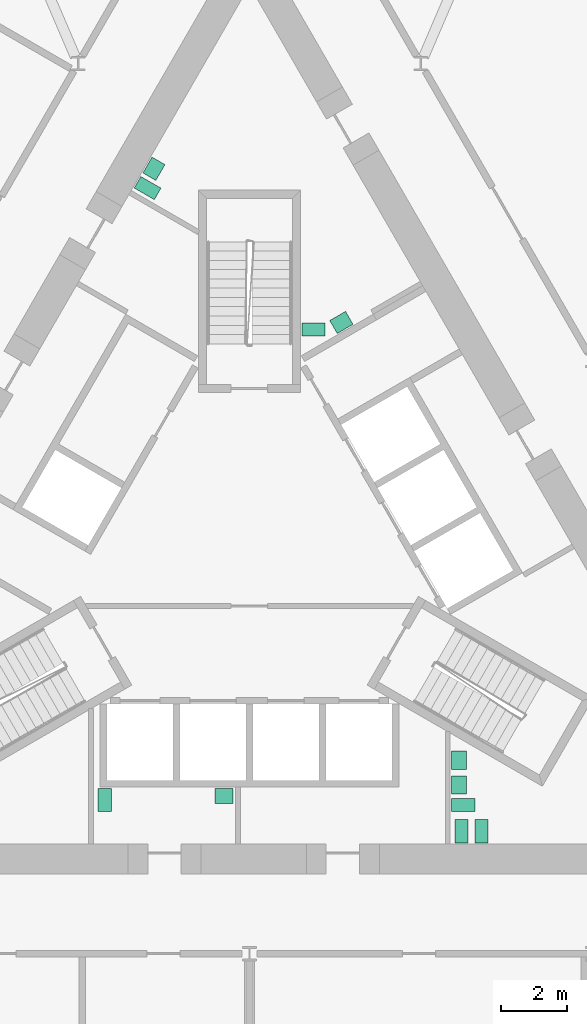
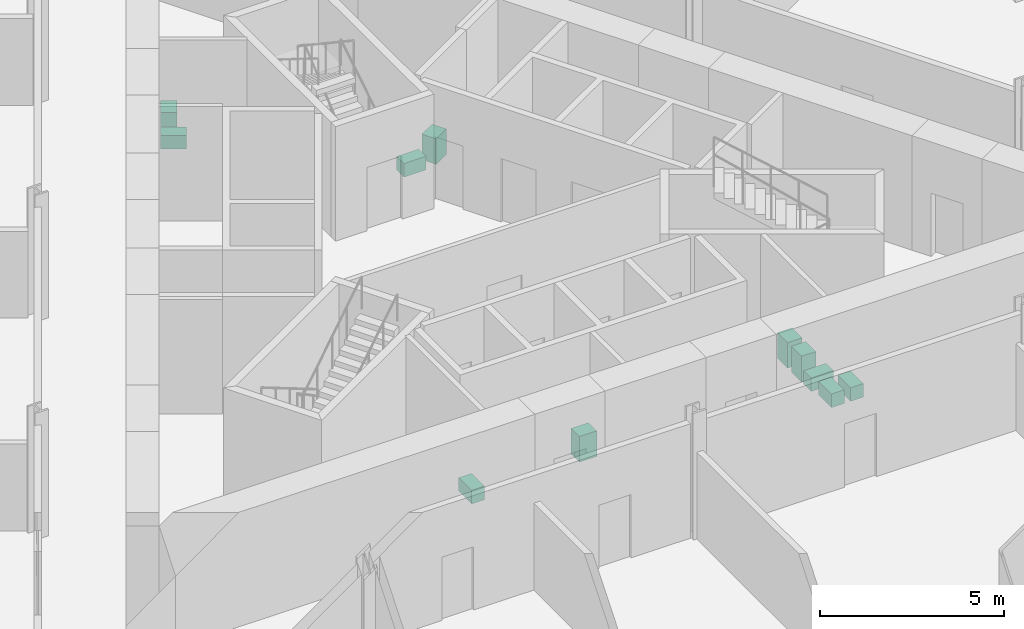
# One storey, part 20 of 21: 11 sanitary terminals.
"""IFC4 building model written with IfcOpenShell, lengths in metres."""

from ifc_helpers import new_model, si_unit, direction, frame, origin, origin_2d, place, context, subcontext, project, spatial, rectangle, extrude, material, type_object, element, save


model = new_model("IFC4")

# Units and contexts
model_context = context("Model", 3, precision=1e-05, world=origin(), true_north=direction((0.0, 1.0)))
body_context = subcontext(model_context, "Body", "Model", "MODEL_VIEW")
ifc_project = project(units=[si_unit("LENGTHUNIT", "METRE"), si_unit("AREAUNIT", "SQUARE_METRE"), si_unit("VOLUMEUNIT", "CUBIC_METRE"), si_unit("PLANEANGLEUNIT", "RADIAN"), si_unit("MASSUNIT", "GRAM", prefix="KILO")], contexts=[model_context])

# Site, building, storey
site_placement = place(None, origin())
site = spatial("IfcSite", under=ifc_project, at=site_placement, CompositionType="ELEMENT")
building_placement = place(site_placement, origin())
building = spatial("IfcBuilding", under=site, at=building_placement, Name="Cormorant Prow Tower", CompositionType="ELEMENT")
storey_placement = place(building_placement, frame((0.0, 0.0, 133.199951171875)))
storey = spatial("IfcBuildingStorey", under=building, at=storey_placement, Name="L28", CompositionType="ELEMENT", Elevation=133.199951171875)

# Sanitary terminals
ifc_material_1 = material(Name="Vitreous china")
sanitary_terminal_type_1 = type_object("IfcSanitaryTerminalType", Name="Wash basin 550x450", PredefinedType="WASHHANDBASIN", material=ifc_material_1)
for number, where, z_axis, x_axis, name in (
    (1, (6.31640625, -6.845947265625, 0.0), (0.0, 0.0, 1.0), (0.0, -1.0, 0.0), "Wash basin"),
    (2, (6.31640625, -6.095947265625, 0.0), (0.0, 0.0, 1.0), (0.0, -1.0, 0.0), "Wash basin"),
    (3, (2.7705078125, 7.101806640625, 0.0), (0.0, 0.0, 1.0), (0.866034130299, 0.499984884929, 0.0), "Wash basin"),
    (4, (-2.880126953125, 11.73388671875, 0.0), (0.0, 0.0, 1.0), (-0.5, -0.866025403784, 0.0), "Wash basin"),
    (5, (-0.766357421875, -7.1708984375, 0.0), (0.0, 0.0, 1.0), (-1.0, 0.0, 0.0), "Wash basin"),
):
    element("IfcSanitaryTerminal", number, at=place(storey_placement, frame(where, z_axis=z_axis, x_axis=x_axis)), inside=storey, type_object=sanitary_terminal_type_1, Name=name, PredefinedType="WASHHANDBASIN", context=body_context, shape_type="SweptSolid", body=[
        extrude(rectangle(XDim=0.550048828125, YDim=0.449951171875, at=origin_2d()), origin(), (0.0, 0.0, 1.0), 0.85009765625),
    ])
ifc_material_2 = material(Name="Vitreous china")
sanitary_terminal_type_2 = type_object("IfcSanitaryTerminalType", Name="Water closet 400x700", PredefinedType="WCSEAT", material=ifc_material_2)
for number, where, z_axis, x_axis, name in (
    (6, (6.3916015625, -8.236328125, 0.0), (0.0, 0.0, 1.0), (1.0, 0.0, 0.0), "Water closet"),
    (7, (6.44140625, -7.446044921875, 0.0), (0.0, 0.0, 1.0), (0.0, -1.0, 0.0), "Water closet"),
    (8, (6.991455078125, -8.236328125, 0.0), (0.0, 0.0, 1.0), (1.0, 0.0, 0.0), "Water closet"),
    (9, (1.93408203125, 6.88671875, 0.0), (0.0, 0.0, 1.0), (0.0, -1.0, 0.0), "Water closet"),
    (10, (-3.072021484375, 11.15185546875, 0.0), (0.0, 0.0, 1.0), (-0.5, -0.866025403784, 0.0), "Water closet"),
    (11, (-4.3662109375, -7.2958984375, 0.0), (0.0, 0.0, 1.0), (-1.0, 0.0, 0.0), "Water closet"),
):
    element("IfcSanitaryTerminal", number, at=place(storey_placement, frame(where, z_axis=z_axis, x_axis=x_axis)), inside=storey, type_object=sanitary_terminal_type_2, Name=name, PredefinedType="WCSEAT", context=body_context, shape_type="SweptSolid", body=[
        extrude(rectangle(XDim=0.39990234375, YDim=0.699951171875, at=origin_2d()), origin(), (0.0, 0.0, 1.0), 0.449951171875),
    ])

save(model, "model.ifc")
